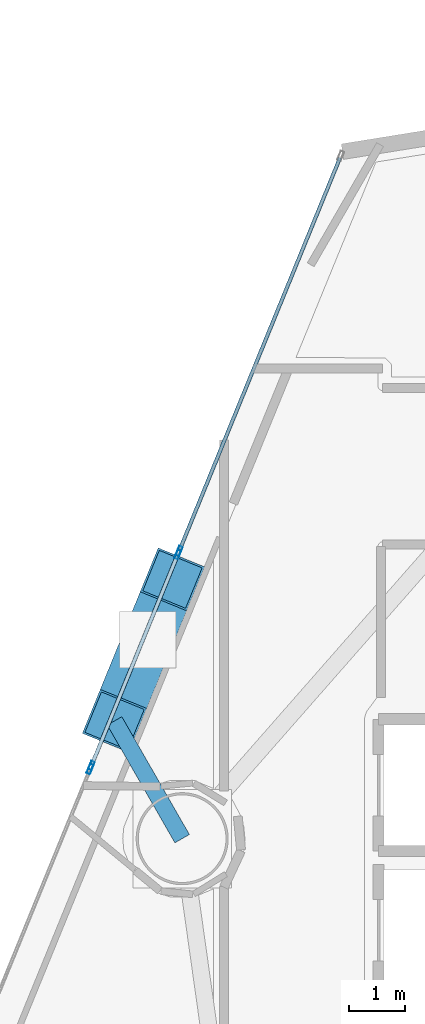
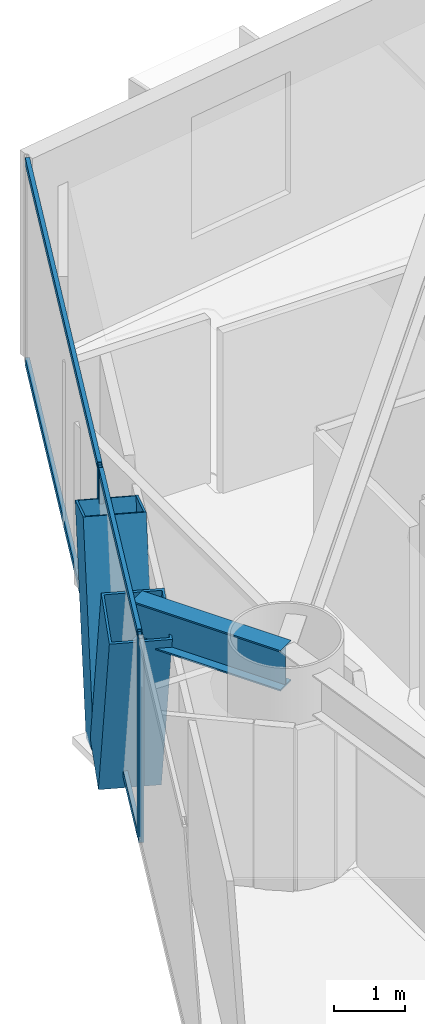
# One storey, part 8 of 23: 10 members, 1 beam, 3 elements without a shape of their own.
"""IFC4 building model written with IfcOpenShell, lengths in metres."""

from ifc_helpers import new_model, si_unit, direction, frame, origin, origin_2d, place, context, subcontext, project, spatial, hollow_rectangle, i_section, extrude, material, layer, layer_set, material_profile, profile_set, type_object, element, aggregate, save


model = new_model("IFC4")

# Units and contexts
model_context = context("Model", 3, precision=1e-05, world=origin(), true_north=direction((0.0, 1.0)))
body_context = subcontext(model_context, "Body", "Model", "MODEL_VIEW")
ifc_project = project(units=[si_unit("LENGTHUNIT", "METRE"), si_unit("AREAUNIT", "SQUARE_METRE"), si_unit("VOLUMEUNIT", "CUBIC_METRE"), si_unit("PLANEANGLEUNIT", "RADIAN"), si_unit("MASSUNIT", "GRAM", prefix="KILO")], contexts=[model_context])

# Site, building, storey
site_placement = place(None, origin())
site = spatial("IfcSite", under=ifc_project, at=site_placement, CompositionType="ELEMENT")
building_placement = place(site_placement, origin())
building = spatial("IfcBuilding", under=site, at=building_placement, Name="Qianvela Tower", CompositionType="ELEMENT")
storey_placement = place(building_placement, frame((0.0, 0.0, 52.5)))
storey = spatial("IfcBuildingStorey", under=building, at=storey_placement, Name="L12", CompositionType="ELEMENT", Elevation=52.5)

# Beam
ifc_material_1 = material(Name="Steel Q355B", Category="steel")
ifc_material_profile_1 = material_profile(ifc_material_1, i_section(OverallWidth=0.300048828125, OverallDepth=0.699951171875, WebThickness=0.012939453125, FlangeThickness=0.02392578125, at=origin_2d()), Name="HN700x300x13x24")
ifc_profile_set_1 = profile_set([ifc_material_profile_1], Name="Steel Q355B")
beam_type = type_object("IfcBeamType", Name="BM-HN700-SPAND", PredefinedType="SPANDREL", material=ifc_profile_set_1)
beam_placement = place(storey_placement, frame((22.8291015625, 30.340087890625, 3.16796875), z_axis=(-0.497790680885, 0.867297202823, 0.0), x_axis=(-0.867297202823, -0.497790680885, 0.0)))
element("IfcBeam", 1, at=beam_placement, inside=storey, type_object=beam_type, Name="L12 Mega-Brace Column Tie Bracket F2-2", PredefinedType="SPANDREL", context=body_context, shape_type="SweptSolid", body=[
    extrude(i_section(OverallWidth=0.300048828125, OverallDepth=0.699951171875, WebThickness=0.012939453125, FlangeThickness=0.02392578125, at=origin_2d()), origin(), (0.0, 0.0, 1.0), 2.43408203125),
])

# Curtain wall, members
ifc_material_2 = material(Name="Anodised Architectural Aluminium and Insulated Spandrel Panel", Category="aluminium")
ifc_layer_1 = layer(ifc_material_2, 0.179931640625)
ifc_layer_set_1 = layer_set([ifc_layer_1], Name="Anodised Architectural Aluminium and Insulated Spandrel Panel")
curtain_wall_type_1 = type_object("IfcCurtainWallType", Name="CW-BRACEBAY", PredefinedType="USERDEFINED", material=ifc_layer_set_1)
curtain_wall_1_placement = place(storey_placement, origin())
curtain_wall_1 = element("IfcCurtainWall", 2, at=curtain_wall_1_placement, inside=storey, type_object=curtain_wall_type_1, Name="L12 CW-BRACEBAY Curtain Wall 04B", ObjectType="CURTAIN_WALL_SYSTEM", PredefinedType="USERDEFINED")
ifc_material_3 = material(Name="Anodised Architectural Aluminium 6063-T6", Category="aluminium")
ifc_material_profile_2 = material_profile(ifc_material_3, hollow_rectangle(XDim=0.06494140625, YDim=0.159912109375, WallThickness=0.0048828125, at=origin_2d()), Name="ALU-MULL-65x160")
ifc_profile_set_2 = profile_set([ifc_material_profile_2], Name="Anodised Architectural Aluminium 6063-T6")
member_type_1 = type_object("IfcMemberType", Name="CW-BRACEBAY-MULL", PredefinedType="MULLION", material=ifc_profile_set_2)
member_1_placement = place(storey_placement, frame((22.74951171875, 35.430908203125, 0.0), z_axis=(0.0, 0.0, 1.0), x_axis=(0.92560605671, -0.378488345635, 0.0)))
member_1 = element("IfcMember", 3, at=member_1_placement, type_object=member_type_1, Name="CW-9 mullion 1", PredefinedType="MULLION", context=body_context, shape_type="SweptSolid", body=[
    extrude(hollow_rectangle(XDim=0.06494140625, YDim=0.159912109375, WallThickness=0.0048828125, at=origin_2d()), origin(), (0.0, 0.0, 1.0), 3.52001953125),
])
member_2_placement = place(storey_placement, frame((21.203369140625, 31.64990234375, 0.0), z_axis=(0.0, 0.0, 1.0), x_axis=(0.92560605671, -0.378488345635, 0.0)))
member_2 = element("IfcMember", 4, at=member_2_placement, type_object=member_type_1, Name="CW-9 mullion 2", PredefinedType="MULLION", context=body_context, shape_type="SweptSolid", body=[
    extrude(hollow_rectangle(XDim=0.06494140625, YDim=0.159912109375, WallThickness=0.0048828125, at=origin_2d()), origin(), (0.0, 0.0, 1.0), 3.52001953125),
])
ifc_material_4 = material(Name="Anodised Architectural Aluminium 6063-T6", Category="aluminium")
ifc_material_profile_3 = material_profile(ifc_material_4, hollow_rectangle(XDim=0.06494140625, YDim=0.1298828125, WallThickness=0.00439453125, at=origin_2d()), Name="ALU-TRAN-65x130")
ifc_profile_set_3 = profile_set([ifc_material_profile_3], Name="Anodised Architectural Aluminium 6063-T6")
member_type_2 = type_object("IfcMemberType", Name="CW-BRACEBAY-TRAN", PredefinedType="USERDEFINED", material=ifc_profile_set_3)
member_3_placement = place(storey_placement, frame((22.7373046875, 35.40087890625, 0.032470703125), z_axis=(-0.378479130513, -0.9256098248, 0.0), x_axis=(0.9256098248, -0.378479130513, 0.0)))
member_3 = element("IfcMember", 5, at=member_3_placement, type_object=member_type_2, Name="CW-9 transom 1.1", ObjectType="TRANSOM", PredefinedType="USERDEFINED", context=body_context, shape_type="SweptSolid", body=[
    extrude(hollow_rectangle(XDim=0.06494140625, YDim=0.1298828125, WallThickness=0.00439453125, at=origin_2d()), origin(), (0.0, 0.0, 1.0), 4.02001953125),
])
member_4_placement = place(storey_placement, frame((22.7373046875, 35.40087890625, 3.487548828125), z_axis=(-0.378479130513, -0.9256098248, 0.0), x_axis=(0.9256098248, -0.378479130513, 0.0)))
member_4 = element("IfcMember", 6, at=member_4_placement, type_object=member_type_2, Name="CW-9 transom 1.2", ObjectType="TRANSOM", PredefinedType="USERDEFINED", context=body_context, shape_type="SweptSolid", body=[
    extrude(hollow_rectangle(XDim=0.06494140625, YDim=0.1298828125, WallThickness=0.00439453125, at=origin_2d()), origin(), (0.0, 0.0, 1.0), 4.02001953125),
])
aggregate(curtain_wall_1, [member_1, member_2, member_3, member_4])

# Curtain wall, member
ifc_material_5 = material(Name="Anodised Architectural Aluminium and Low-E Glass", Category="aluminium")
ifc_layer_2 = layer(ifc_material_5, 0.179931640625)
ifc_layer_set_2 = layer_set([ifc_layer_2], Name="Anodised Architectural Aluminium and Low-E Glass")
curtain_wall_type_2 = type_object("IfcCurtainWallType", Name="CW-COLIV-Z12", PredefinedType="USERDEFINED", material=ifc_layer_set_2)
curtain_wall_2_placement = place(storey_placement, origin())
curtain_wall_2 = element("IfcCurtainWall", 7, at=curtain_wall_2_placement, inside=storey, type_object=curtain_wall_type_2, Name="L12 CW-COLIV-Z12 Curtain Wall 04A", ObjectType="CURTAIN_WALL_SYSTEM", PredefinedType="USERDEFINED")
ifc_material_6 = material(Name="Anodised Architectural Aluminium 6063-T6", Category="aluminium")
ifc_material_profile_4 = material_profile(ifc_material_6, hollow_rectangle(XDim=0.070068359375, YDim=0.179931640625, WallThickness=0.0048828125, at=origin_2d()), Name="ALU-MULL-70x180")
ifc_profile_set_4 = profile_set([ifc_material_profile_4], Name="Anodised Architectural Aluminium 6063-T6")
member_type_3 = type_object("IfcMemberType", Name="CW-COLIV-Z12-MULL", PredefinedType="MULLION", material=ifc_profile_set_4)
member_5_placement = place(storey_placement, frame((22.775146484375, 35.493408203125, 0.0), z_axis=(0.0, 0.0, 1.0), x_axis=(0.925603275582, -0.378495146907, 0.0)))
member_5 = element("IfcMember", 8, at=member_5_placement, type_object=member_type_3, Name="CW-3 mullion 2", PredefinedType="MULLION", context=body_context, shape_type="SweptSolid", body=[
    extrude(hollow_rectangle(XDim=0.070068359375, YDim=0.179931640625, WallThickness=0.0048828125, at=origin_2d()), origin(), (0.0, 0.0, 1.0), 3.52001953125),
])

curtain_wall_3_placement = place(storey_placement, origin())
curtain_wall_3 = element("IfcCurtainWall", 9, at=curtain_wall_3_placement, inside=storey, type_object=curtain_wall_type_2, Name="L12 CW-COLIV-Z12 Curtain Wall 04C", ObjectType="CURTAIN_WALL_SYSTEM", PredefinedType="USERDEFINED")
member_6_placement = place(storey_placement, frame((21.177734375, 31.58740234375, 0.0), z_axis=(0.0, 0.0, 1.0), x_axis=(0.925603423285, -0.378494785701, 0.0)))
member_6 = element("IfcMember", 10, at=member_6_placement, type_object=member_type_3, Name="CW-3 mullion 1", PredefinedType="MULLION", context=body_context, shape_type="SweptSolid", body=[
    extrude(hollow_rectangle(XDim=0.070068359375, YDim=0.179931640625, WallThickness=0.0048828125, at=origin_2d()), origin(), (0.0, 0.0, 1.0), 3.52001953125),
])
aggregate(curtain_wall_3, [member_6])

# Member
ifc_material_7 = material(Name="Anodised Architectural Aluminium 6063-T6", Category="aluminium")
ifc_material_profile_5 = material_profile(ifc_material_7, hollow_rectangle(XDim=0.06494140625, YDim=0.1298828125, WallThickness=0.00439453125, at=origin_2d()), Name="ALU-TRAN-65x130")
ifc_profile_set_5 = profile_set([ifc_material_profile_5], Name="Anodised Architectural Aluminium 6063-T6")
member_type_4 = type_object("IfcMemberType", Name="CW-COLIV-Z12-TRAN", PredefinedType="USERDEFINED", material=ifc_profile_set_5)
member_7_placement = place(storey_placement, frame((25.6572265625, 42.5419921875, 0.032470703125), z_axis=(-0.378482344257, -0.925608510703, 0.0), x_axis=(0.925608510703, -0.378482344257, 0.0)))
member_7 = element("IfcMember", 11, at=member_7_placement, type_object=member_type_4, Name="CW-3 transom 1.1", ObjectType="TRANSOM", PredefinedType="USERDEFINED", context=body_context, shape_type="SweptSolid", body=[
    extrude(hollow_rectangle(XDim=0.06494140625, YDim=0.1298828125, WallThickness=0.00439453125, at=origin_2d()), origin(), (0.0, 0.0, 1.0), 7.580078125),
])

member_8_placement = place(storey_placement, frame((25.6572265625, 42.5419921875, 3.487548828125), z_axis=(-0.378482344257, -0.925608510703, 0.0), x_axis=(0.925608510703, -0.378482344257, 0.0)))
member_8 = element("IfcMember", 12, at=member_8_placement, type_object=member_type_4, Name="CW-3 transom 1.2", ObjectType="TRANSOM", PredefinedType="USERDEFINED", context=body_context, shape_type="SweptSolid", body=[
    extrude(hollow_rectangle(XDim=0.06494140625, YDim=0.1298828125, WallThickness=0.00439453125, at=origin_2d()), origin(), (0.0, 0.0, 1.0), 7.580078125),
])

aggregate(curtain_wall_2, [member_5, member_7, member_8])

# Members
ifc_material_8 = material(Name="Steel Q420GJC", Category="steel")
ifc_material_profile_6 = material_profile(ifc_material_8, hollow_rectangle(XDim=0.89990234375, YDim=0.89990234375, WallThickness=0.035888671875, at=origin_2d()), Name="MBOX-900x900x36")
ifc_profile_set_6 = profile_set([ifc_material_profile_6], Name="Steel Q420GJC")
member_type_5 = type_object("IfcMemberType", Name="MBR-MBRACE-900", PredefinedType="BRACE", material=ifc_profile_set_6)
for number, where, z_axis, x_axis, name in (
    (13, (22.219482421875, 33.923095703125, -0.139892578125), (0.124296055882, 0.304012955525, 0.944524543548), (-0.925624699281, 0.378442751391, 0.0), "L12 Tier 2 Exterior Mega-Brace F2A"),
    (14, (22.052734375, 33.515869140625, -0.139892578125), (-0.124296055882, -0.304012955525, 0.944524543548), (0.925624699281, -0.378442751391, 0.0), "L12 Tier 2 Exterior Mega-Brace F2B"),
):
    element("IfcMember", number, at=place(storey_placement, frame(where, z_axis=z_axis, x_axis=x_axis)), inside=storey, type_object=member_type_5, Name=name, PredefinedType="BRACE", context=body_context, shape_type="SweptSolid", body=[
        extrude(hollow_rectangle(XDim=0.89990234375, YDim=0.89990234375, WallThickness=0.035888671875, at=origin_2d()), origin(), (0.0, 0.0, 1.0), 3.502197265625),
    ])

save(model, "model.ifc")
